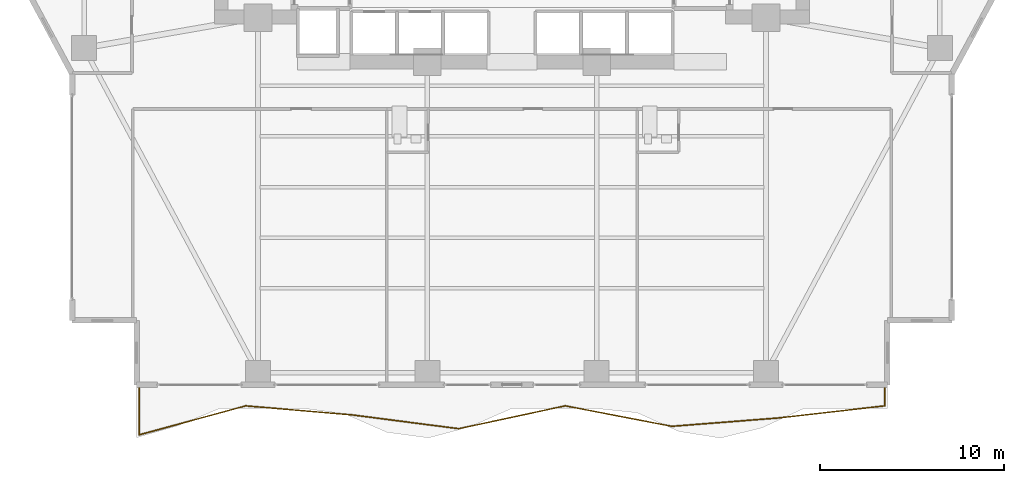
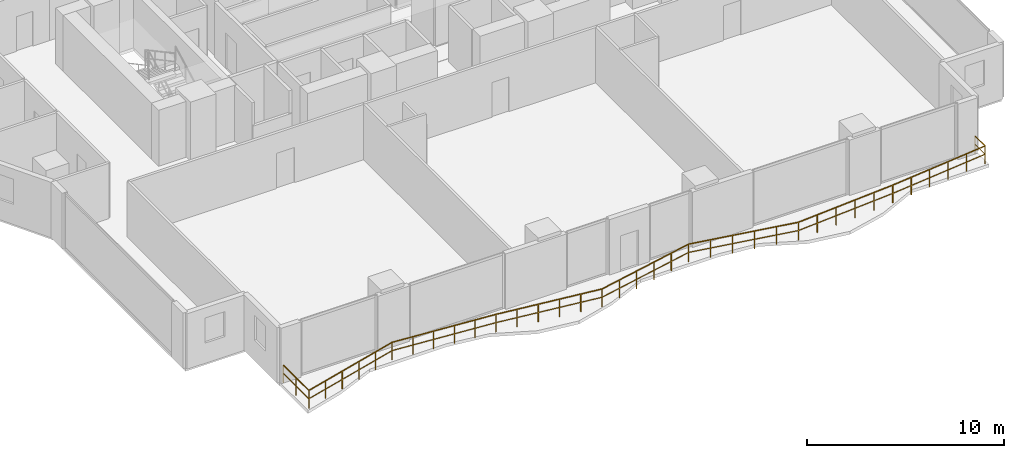
# One storey, part 26 of 29: 1 railing.
"""IFC4 building model written with IfcOpenShell, lengths in metres."""

from ifc_helpers import new_model, si_unit, direction, frame, origin, origin_2d, place, context, subcontext, project, spatial, rectangle, extrude, material, type_object, element, save


model = new_model("IFC4")

# Units and contexts
model_context = context("Model", 3, precision=1e-05, world=origin(), true_north=direction((0.0, 1.0)))
body_context = subcontext(model_context, "Body", "Model", "MODEL_VIEW")
ifc_project = project(units=[si_unit("LENGTHUNIT", "METRE"), si_unit("AREAUNIT", "SQUARE_METRE"), si_unit("VOLUMEUNIT", "CUBIC_METRE"), si_unit("PLANEANGLEUNIT", "RADIAN"), si_unit("MASSUNIT", "GRAM", prefix="KILO")], contexts=[model_context])

# Site, building, storey
site_placement = place(None, origin())
site = spatial("IfcSite", under=ifc_project, at=site_placement, CompositionType="ELEMENT")
building_placement = place(site_placement, origin())
building = spatial("IfcBuilding", under=site, at=building_placement, Name="Zuhayl Quay Hotel", CompositionType="ELEMENT")
storey_placement = place(building_placement, frame((0.0, 0.0, 106.60009765625)))
storey = spatial("IfcBuildingStorey", under=building, at=storey_placement, Name="L26", CompositionType="ELEMENT", Elevation=106.60009765625)

# Railing
ifc_material = material(Name="Anodised Aluminium and Laminated Glass", Category="aluminium")
railing_type = type_object("IfcRailingType", Name="RL_EXT_BAL_1100", PredefinedType="BALUSTRADE", material=ifc_material)
railing_placement = place(storey_placement, frame((-20.260009765625, -15.52001953125, 0.0)))
element("IfcRailing", 1, at=railing_placement, inside=storey, type_object=railing_type, Name="L26 Balcony and Terrace Guard GR_L26_BAL_S", PredefinedType="BALUSTRADE", context=body_context, shape_type="SweptSolid", body=[
    extrude(rectangle(XDim=0.048095703125, YDim=0.048095703125, at=origin_2d()), frame((0.0, 0.0, 1.09619140625), z_axis=(0.0, -1.0, 0.0), x_axis=(1.0, 0.0, 0.0)), (0.0, 0.0, 1.0), 2.5966796875),
    extrude(rectangle(XDim=0.0361328125, YDim=0.0361328125, at=origin_2d()), frame((0.0, 0.0, 0.58251953125), z_axis=(0.0, -1.0, 0.0), x_axis=(1.0, 0.0, 0.0)), (0.0, 0.0, 1.0), 2.5966796875),
    extrude(rectangle(XDim=0.048095703125, YDim=0.048095703125, at=origin_2d()), frame((0.0, -2.5966796875, 1.09619140625), z_axis=(0.964850165311, 0.262800605971, 0.0), x_axis=(-0.262800605971, 0.964850165311, 0.0)), (0.0, 0.0, 1.0), 5.99951171875),
    extrude(rectangle(XDim=0.0361328125, YDim=0.0361328125, at=origin_2d()), frame((0.0, -2.5966796875, 0.58251953125), z_axis=(0.964850165311, 0.262800605971, 0.0), x_axis=(-0.262800605971, 0.964850165311, 0.0)), (0.0, 0.0, 1.0), 5.99951171875),
    extrude(rectangle(XDim=0.048095703125, YDim=0.048095703125, at=origin_2d()), frame((5.78857421875, -1.02001953125, 1.09619140625), z_axis=(0.996397553895, -0.084805156633, 0.0), x_axis=(0.084805156633, 0.996397553895, 0.0)), (0.0, 0.0, 1.0), 5.8095703125),
    extrude(rectangle(XDim=0.0361328125, YDim=0.0361328125, at=origin_2d()), frame((5.78857421875, -1.02001953125, 0.58251953125), z_axis=(0.996397553895, -0.084805156633, 0.0), x_axis=(0.084805156633, 0.996397553895, 0.0)), (0.0, 0.0, 1.0), 5.8095703125),
    extrude(rectangle(XDim=0.048095703125, YDim=0.048095703125, at=origin_2d()), frame((11.5771484375, -1.5126953125, 1.09619140625), z_axis=(0.991763817789, -0.12808016913, 0.0), x_axis=(0.12808016913, 0.991763817789, 0.0)), (0.0, 0.0, 1.0), 5.836669921875),
    extrude(rectangle(XDim=0.0361328125, YDim=0.0361328125, at=origin_2d()), frame((11.5771484375, -1.5126953125, 0.58251953125), z_axis=(0.991763817789, -0.12808016913, 0.0), x_axis=(0.12808016913, 0.991763817789, 0.0)), (0.0, 0.0, 1.0), 5.836669921875),
    extrude(rectangle(XDim=0.048095703125, YDim=0.048095703125, at=origin_2d()), frame((17.36572265625, -2.26025390625, 1.09619140625), z_axis=(0.977808448843, 0.20950092451, 0.0), x_axis=(-0.20950092451, 0.977808448843, 0.0)), (0.0, 0.0, 1.0), 5.919921875),
    extrude(rectangle(XDim=0.0361328125, YDim=0.0361328125, at=origin_2d()), frame((17.36572265625, -2.26025390625, 0.58251953125), z_axis=(0.977808448843, 0.20950092451, 0.0), x_axis=(-0.20950092451, 0.977808448843, 0.0)), (0.0, 0.0, 1.0), 5.919921875),
    extrude(rectangle(XDim=0.048095703125, YDim=0.048095703125, at=origin_2d()), frame((23.154296875, -1.02001953125, 1.09619140625), z_axis=(0.98207256444, -0.188503257729, 0.0), x_axis=(0.188503257729, 0.98207256444, 0.0)), (0.0, 0.0, 1.0), 5.894287109375),
    extrude(rectangle(XDim=0.0361328125, YDim=0.0361328125, at=origin_2d()), frame((23.154296875, -1.02001953125, 0.58251953125), z_axis=(0.98207256444, -0.188503257729, 0.0), x_axis=(0.188503257729, 0.98207256444, 0.0)), (0.0, 0.0, 1.0), 5.894287109375),
    extrude(rectangle(XDim=0.048095703125, YDim=0.048095703125, at=origin_2d()), frame((28.94287109375, -2.131103515625, 1.09619140625), z_axis=(0.996969789139, 0.077789713619, 0.0), x_axis=(-0.077789713619, 0.996969789139, 0.0)), (0.0, 0.0, 1.0), 5.80615234375),
    extrude(rectangle(XDim=0.0361328125, YDim=0.0361328125, at=origin_2d()), frame((28.94287109375, -2.131103515625, 0.58251953125), z_axis=(0.996969789139, 0.077789713619, 0.0), x_axis=(-0.077789713619, 0.996969789139, 0.0)), (0.0, 0.0, 1.0), 5.80615234375),
    extrude(rectangle(XDim=0.048095703125, YDim=0.048095703125, at=origin_2d()), frame((34.7314453125, -1.679443359375, 1.09619140625), z_axis=(0.993573803415, 0.113186117378, 0.0), x_axis=(-0.113186117378, 0.993573803415, 0.0)), (0.0, 0.0, 1.0), 5.825927734375),
    extrude(rectangle(XDim=0.0361328125, YDim=0.0361328125, at=origin_2d()), frame((34.7314453125, -1.679443359375, 0.58251953125), z_axis=(0.993573803415, 0.113186117378, 0.0), x_axis=(-0.113186117378, 0.993573803415, 0.0)), (0.0, 0.0, 1.0), 5.825927734375),
    extrude(rectangle(XDim=0.048095703125, YDim=0.048095703125, at=origin_2d()), frame((40.52001953125, -1.02001953125, 1.09619140625), z_axis=(0.0, 1.0, 0.0), x_axis=(-1.0, 0.0, 0.0)), (0.0, 0.0, 1.0), 1.02001953125),
    extrude(rectangle(XDim=0.0361328125, YDim=0.0361328125, at=origin_2d()), frame((40.52001953125, -1.02001953125, 0.58251953125), z_axis=(0.0, 1.0, 0.0), x_axis=(-1.0, 0.0, 0.0)), (0.0, 0.0, 1.0), 1.02001953125),
    extrude(rectangle(XDim=0.0419921875, YDim=0.0419921875, at=origin_2d()), origin(), (0.0, 0.0, 1.0), 1.072021484375),
    extrude(rectangle(XDim=0.0419921875, YDim=0.0419921875, at=origin_2d()), frame((0.0, -1.29833984375, 0.0)), (0.0, 0.0, 1.0), 1.072021484375),
    extrude(rectangle(XDim=0.0419921875, YDim=0.0419921875, at=origin_2d()), frame((0.0, -2.5966796875, 0.0)), (0.0, 0.0, 1.0), 1.072021484375),
    extrude(rectangle(XDim=0.0419921875, YDim=0.0419921875, at=origin_2d()), frame((1.15771484375, -2.28125, 0.0)), (0.0, 0.0, 1.0), 1.072021484375),
    extrude(rectangle(XDim=0.0419921875, YDim=0.0419921875, at=origin_2d()), frame((2.3154296875, -1.966064453125, 0.0)), (0.0, 0.0, 1.0), 1.072021484375),
    extrude(rectangle(XDim=0.0419921875, YDim=0.0419921875, at=origin_2d()), frame((3.47314453125, -1.650634765625, 0.0)), (0.0, 0.0, 1.0), 1.072021484375),
    extrude(rectangle(XDim=0.0419921875, YDim=0.0419921875, at=origin_2d()), frame((4.630859375, -1.33544921875, 0.0)), (0.0, 0.0, 1.0), 1.072021484375),
    extrude(rectangle(XDim=0.0419921875, YDim=0.0419921875, at=origin_2d()), frame((5.78857421875, -1.02001953125, 0.0)), (0.0, 0.0, 1.0), 1.072021484375),
    extrude(rectangle(XDim=0.0419921875, YDim=0.0419921875, at=origin_2d()), frame((6.9462890625, -1.11865234375, 0.0)), (0.0, 0.0, 1.0), 1.072021484375),
    extrude(rectangle(XDim=0.0419921875, YDim=0.0419921875, at=origin_2d()), frame((8.10400390625, -1.217041015625, 0.0)), (0.0, 0.0, 1.0), 1.072021484375),
    extrude(rectangle(XDim=0.0419921875, YDim=0.0419921875, at=origin_2d()), frame((9.26171875, -1.315673828125, 0.0)), (0.0, 0.0, 1.0), 1.072021484375),
    extrude(rectangle(XDim=0.0419921875, YDim=0.0419921875, at=origin_2d()), frame((10.41943359375, -1.4140625, 0.0)), (0.0, 0.0, 1.0), 1.072021484375),
    extrude(rectangle(XDim=0.0419921875, YDim=0.0419921875, at=origin_2d()), frame((11.5771484375, -1.5126953125, 0.0)), (0.0, 0.0, 1.0), 1.072021484375),
    extrude(rectangle(XDim=0.0419921875, YDim=0.0419921875, at=origin_2d()), frame((12.73486328125, -1.662109375, 0.0)), (0.0, 0.0, 1.0), 1.072021484375),
    extrude(rectangle(XDim=0.0419921875, YDim=0.0419921875, at=origin_2d()), frame((13.892578125, -1.811767578125, 0.0)), (0.0, 0.0, 1.0), 1.072021484375),
    extrude(rectangle(XDim=0.0419921875, YDim=0.0419921875, at=origin_2d()), frame((15.05029296875, -1.961181640625, 0.0)), (0.0, 0.0, 1.0), 1.072021484375),
    extrude(rectangle(XDim=0.0419921875, YDim=0.0419921875, at=origin_2d()), frame((16.2080078125, -2.11083984375, 0.0)), (0.0, 0.0, 1.0), 1.072021484375),
    extrude(rectangle(XDim=0.0419921875, YDim=0.0419921875, at=origin_2d()), frame((17.36572265625, -2.26025390625, 0.0)), (0.0, 0.0, 1.0), 1.072021484375),
    extrude(rectangle(XDim=0.0419921875, YDim=0.0419921875, at=origin_2d()), frame((18.5234375, -2.01220703125, 0.0)), (0.0, 0.0, 1.0), 1.072021484375),
    extrude(rectangle(XDim=0.0419921875, YDim=0.0419921875, at=origin_2d()), frame((19.68115234375, -1.76416015625, 0.0)), (0.0, 0.0, 1.0), 1.072021484375),
    extrude(rectangle(XDim=0.0419921875, YDim=0.0419921875, at=origin_2d()), frame((20.8388671875, -1.51611328125, 0.0)), (0.0, 0.0, 1.0), 1.072021484375),
    extrude(rectangle(XDim=0.0419921875, YDim=0.0419921875, at=origin_2d()), frame((21.99658203125, -1.26806640625, 0.0)), (0.0, 0.0, 1.0), 1.072021484375),
    extrude(rectangle(XDim=0.0419921875, YDim=0.0419921875, at=origin_2d()), frame((23.154296875, -1.02001953125, 0.0)), (0.0, 0.0, 1.0), 1.072021484375),
    extrude(rectangle(XDim=0.0419921875, YDim=0.0419921875, at=origin_2d()), frame((24.31201171875, -1.2421875, 0.0)), (0.0, 0.0, 1.0), 1.072021484375),
    extrude(rectangle(XDim=0.0419921875, YDim=0.0419921875, at=origin_2d()), frame((25.4697265625, -1.46435546875, 0.0)), (0.0, 0.0, 1.0), 1.072021484375),
    extrude(rectangle(XDim=0.0419921875, YDim=0.0419921875, at=origin_2d()), frame((26.62744140625, -1.686767578125, 0.0)), (0.0, 0.0, 1.0), 1.072021484375),
    extrude(rectangle(XDim=0.0419921875, YDim=0.0419921875, at=origin_2d()), frame((27.78515625, -1.908935546875, 0.0)), (0.0, 0.0, 1.0), 1.072021484375),
    extrude(rectangle(XDim=0.0419921875, YDim=0.0419921875, at=origin_2d()), frame((28.94287109375, -2.131103515625, 0.0)), (0.0, 0.0, 1.0), 1.072021484375),
    extrude(rectangle(XDim=0.0419921875, YDim=0.0419921875, at=origin_2d()), frame((30.1005859375, -2.040771484375, 0.0)), (0.0, 0.0, 1.0), 1.072021484375),
    extrude(rectangle(XDim=0.0419921875, YDim=0.0419921875, at=origin_2d()), frame((31.25830078125, -1.950439453125, 0.0)), (0.0, 0.0, 1.0), 1.072021484375),
    extrude(rectangle(XDim=0.0419921875, YDim=0.0419921875, at=origin_2d()), frame((32.416015625, -1.860107421875, 0.0)), (0.0, 0.0, 1.0), 1.072021484375),
    extrude(rectangle(XDim=0.0419921875, YDim=0.0419921875, at=origin_2d()), frame((33.57373046875, -1.769775390625, 0.0)), (0.0, 0.0, 1.0), 1.072021484375),
    extrude(rectangle(XDim=0.0419921875, YDim=0.0419921875, at=origin_2d()), frame((34.7314453125, -1.679443359375, 0.0)), (0.0, 0.0, 1.0), 1.072021484375),
    extrude(rectangle(XDim=0.0419921875, YDim=0.0419921875, at=origin_2d()), frame((35.88916015625, -1.547607421875, 0.0)), (0.0, 0.0, 1.0), 1.072021484375),
    extrude(rectangle(XDim=0.0419921875, YDim=0.0419921875, at=origin_2d()), frame((37.046875, -1.415771484375, 0.0)), (0.0, 0.0, 1.0), 1.072021484375),
    extrude(rectangle(XDim=0.0419921875, YDim=0.0419921875, at=origin_2d()), frame((38.20458984375, -1.28369140625, 0.0)), (0.0, 0.0, 1.0), 1.072021484375),
    extrude(rectangle(XDim=0.0419921875, YDim=0.0419921875, at=origin_2d()), frame((39.3623046875, -1.15185546875, 0.0)), (0.0, 0.0, 1.0), 1.072021484375),
    extrude(rectangle(XDim=0.0419921875, YDim=0.0419921875, at=origin_2d()), frame((40.52001953125, -1.02001953125, 0.0)), (0.0, 0.0, 1.0), 1.072021484375),
    extrude(rectangle(XDim=0.0419921875, YDim=0.0419921875, at=origin_2d()), frame((40.52001953125, 0.0, 0.0)), (0.0, 0.0, 1.0), 1.072021484375),
])

save(model, "model.ifc")
